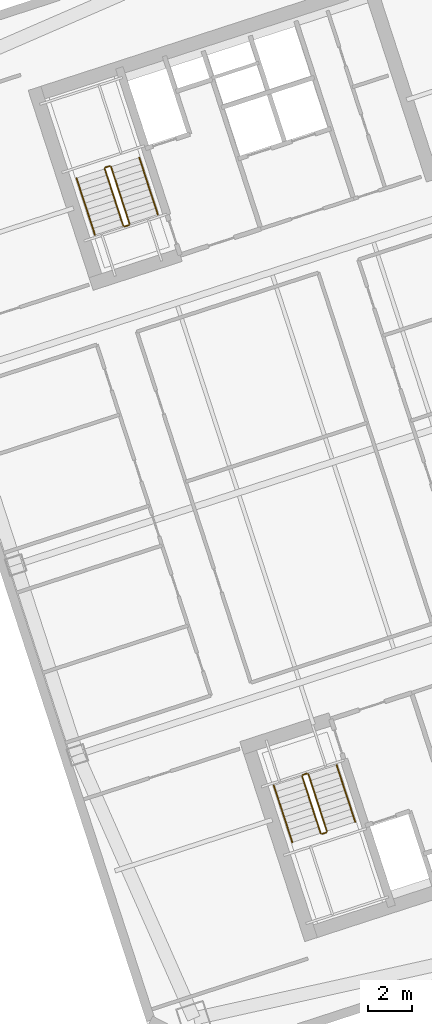
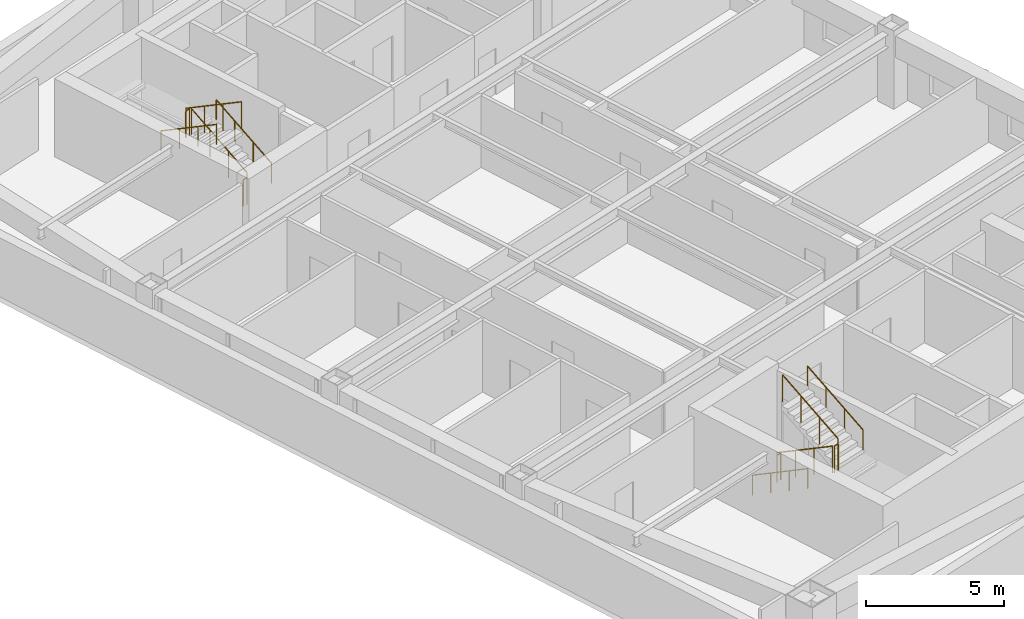
# One storey, part 13 of 13: 12 railings.
"""IFC4 building model written with IfcOpenShell, lengths in metres."""

import ifcopenshell
import ifcopenshell.guid

model = None  # the IFC model being written
_history = None  # IfcOwnerHistory: only IFC2X3 demands one
_inside = {}  # id of a spatial element -> (the spatial element, [elements in it])
_under = {}  # id of a project, library or spatial element -> (it, [spatial elements below it])
_declared = {}  # id of a project -> (the project, [libraries it declares])
_typed = {}  # id of a type object -> (the type object, [elements of that type])
_made_of = {}  # id of a material, layer set ... -> (it, [elements and type objects made of it])


def new_model(schema):
    """Start an empty IFC model of exactly this schema.

    Asked for "IFC4X3", IfcOpenShell would pick the latest addendum, in which some entities
    have other attributes; the version numbers below select the first issue.
    IFC2X3 requires an IfcOwnerHistory on every rooted entity: one is made here for all.
    """
    global model, _history
    if schema == "IFC4X3":
        model = ifcopenshell.file(schema_version=(4, 3, 0, 0))
    else:
        model = ifcopenshell.file(schema=schema)
    _inside.clear()
    _under.clear()
    _declared.clear()
    _typed.clear()
    _made_of.clear()
    _history = None
    if model.schema == "IFC2X3":
        org = make("IfcOrganization", Name="unknown")
        user = make(
            "IfcPersonAndOrganization",
            ThePerson=make("IfcPerson", FamilyName="unknown"),
            TheOrganization=org,
        )
        app = make(
            "IfcApplication",
            ApplicationDeveloper=org,
            Version="unknown",
            ApplicationFullName="unknown",
            ApplicationIdentifier="unknown",
        )
        _history = make(
            "IfcOwnerHistory",
            OwningUser=user,
            OwningApplication=app,
            ChangeAction="ADDED",
            CreationDate=0,
        )
    return model


def make(cls, **values):
    """One entity of the class cls with the attributes given. An attribute that is None is left unset."""
    return model.create_entity(
        cls, **{name: value for name, value in values.items() if value is not None}
    )


def rooted(cls, **values):
    """An entity with a GlobalId (a new one), such as an element, a storey or a relation."""
    return make(cls, GlobalId=ifcopenshell.guid.new(), OwnerHistory=_history, **values)


def si_unit(unit_type, name, prefix=None):
    """IfcSIUnit, for example si_unit("LENGTHUNIT", "METRE", prefix="MILLI")."""
    return make("IfcSIUnit", UnitType=unit_type, Prefix=prefix, Name=name)


def assignment(units):
    """IfcUnitAssignment: the units of a project."""
    return None if units is None else make("IfcUnitAssignment", Units=units)


def point(xyz):
    """IfcCartesianPoint."""
    return None if xyz is None else make("IfcCartesianPoint", Coordinates=xyz)


def direction(xyz):
    """IfcDirection."""
    return None if xyz is None else make("IfcDirection", DirectionRatios=xyz)


def frame(location, z_axis=None, x_axis=None):
    """IfcAxis2Placement3D, a coordinate frame: its origin and axes. An axis left out is left unset."""
    return make(
        "IfcAxis2Placement3D",
        Location=point(location),
        Axis=direction(z_axis),
        RefDirection=direction(x_axis),
    )


def frame_2d(location, x_axis=None):
    """IfcAxis2Placement2D, a coordinate frame in the plane: its origin and x axis."""
    return make(
        "IfcAxis2Placement2D", Location=point(location), RefDirection=direction(x_axis)
    )


def origin():
    """The frame at (0, 0, 0) with its axes left unset."""
    return frame((0.0, 0.0, 0.0))


def origin_2d():
    """The frame at (0, 0) in the plane with its x axis left unset."""
    return frame_2d((0.0, 0.0))


def place(relative_to, where):
    """IfcLocalPlacement: puts the frame where relative to a parent placement (None: the world)."""
    return make(
        "IfcLocalPlacement", PlacementRelTo=relative_to, RelativePlacement=where
    )


def context(
    kind, dimensions, precision=None, world=None, true_north=None, identifier=None
):
    """IfcGeometricRepresentationContext, for example the 3D "Model" context."""
    return make(
        "IfcGeometricRepresentationContext",
        ContextIdentifier=identifier,
        ContextType=kind,
        CoordinateSpaceDimension=dimensions,
        Precision=precision,
        WorldCoordinateSystem=world,
        TrueNorth=true_north,
    )


def subcontext(parent, identifier, kind, view, scale=None):
    """IfcGeometricRepresentationSubContext, for example "Body" below "Model"."""
    return make(
        "IfcGeometricRepresentationSubContext",
        ContextIdentifier=identifier,
        ContextType=kind,
        ParentContext=parent,
        TargetScale=scale,
        TargetView=view,
    )


def project(units=None, contexts=None):
    """IfcProject with its units and contexts."""
    return rooted(
        "IfcProject",
        Name="project",
        RepresentationContexts=contexts,
        UnitsInContext=assignment(units),
    )


def spatial(cls, under=None, at=None, **own):
    """A site, building, storey or space (cls), placed at a placement, below another one or the project."""
    s = rooted(cls, ObjectPlacement=at, **own)
    if under is not None:
        _under.setdefault(under.id(), (under, []))[1].append(s)
    return s


def profile(cls, at=None, kind="AREA", **sizes):
    """A parametric profile (cls). Its sizes go by their IFC names, for example OverallWidth=200.0."""
    return make(cls, ProfileType=kind, Position=at, **sizes)


def circle(**sizes):
    """IfcCircleProfileDef."""
    return profile("IfcCircleProfileDef", **sizes)


def extrude(swept, where, along, depth):
    """IfcExtrudedAreaSolid: the profile swept, set in the frame where, extruded along a direction by depth."""
    return make(
        "IfcExtrudedAreaSolid",
        SweptArea=swept,
        Position=where,
        ExtrudedDirection=direction(along),
        Depth=depth,
    )


def shape(context_of_items, identifier, shape_type, items):
    """IfcShapeRepresentation: the items that make up one representation, for example the "Body"."""
    return make(
        "IfcShapeRepresentation",
        ContextOfItems=context_of_items,
        RepresentationIdentifier=identifier,
        RepresentationType=shape_type,
        Items=items,
    )


def material(Name=None, Category=None):
    """IfcMaterial."""
    return make("IfcMaterial", Name=Name, Category=Category)


def made_of(thing, what):
    """Note that an element or type object is made of a material, layer set ...; save() writes the relation."""
    if what is not None:
        _made_of.setdefault(what.id(), (what, []))[1].append(thing)
    return thing


def type_object(cls, material=None, **own):
    """A type object (cls), such as IfcWallType, which elements share."""
    return made_of(rooted(cls, **own), material)


def element(
    cls,
    number,
    at=None,
    inside=None,
    cuts=None,
    type_object=None,
    material=None,
    context=None,
    identifier="Body",
    shape_type=None,
    held_by="IfcProductDefinitionShape",
    body=None,
    shapes=None,
    **own,
):
    """One element of the class cls, such as IfcWall. Its Tag is "e" and its number.

    at: its placement. inside: the storey or other place that contains it. cuts: it is an
    opening in that element (IfcRelVoidsElement). A single representation is given by context,
    identifier, shape_type and body (its items); several are given by shapes. held_by: the class
    of the entity that holds the representations. save() writes the other relations.
    """
    e = rooted(cls, Tag="e%d" % number, ObjectPlacement=at, **own)
    if body is not None:
        shapes = [shape(context, identifier, shape_type, body)]
    if shapes is not None:
        e.Representation = make(held_by, Representations=shapes)
    if inside is not None:
        _inside.setdefault(inside.id(), (inside, []))[1].append(e)
    if cuts is not None:
        rooted(
            "IfcRelVoidsElement", RelatingBuildingElement=cuts, RelatedOpeningElement=e
        )
    if type_object is not None:
        _typed.setdefault(type_object.id(), (type_object, []))[1].append(e)
    return made_of(e, material)


def aggregate(whole, parts):
    """IfcRelAggregates: a whole, such as a stair, and the parts it consists of."""
    return rooted("IfcRelAggregates", RelatingObject=whole, RelatedObjects=parts)


def save(model, path):
    """Write the relations noted so far, then the file.

    IfcRelAggregates (storeys below a building ...), IfcRelContainedInSpatialStructure (elements
    in a storey), IfcRelDefinesByType, IfcRelAssociatesMaterial and IfcRelDeclares: one each for
    every whole, place, type object, material and project.
    """
    for whole, parts in _under.values():
        aggregate(whole, parts)
    for where, things in _inside.values():
        rooted(
            "IfcRelContainedInSpatialStructure",
            RelatedElements=things,
            RelatingStructure=where,
        )
    for kind, things in _typed.values():
        rooted("IfcRelDefinesByType", RelatedObjects=things, RelatingType=kind)
    for what, things in _made_of.values():
        rooted("IfcRelAssociatesMaterial", RelatedObjects=things, RelatingMaterial=what)
    for by, libraries in _declared.values():
        rooted("IfcRelDeclares", RelatingContext=by, RelatedDefinitions=libraries)
    model.write(path)


model = new_model("IFC4")

# Units and contexts
model_context = context("Model", 3, precision=1e-05, world=origin(), true_north=direction((0.0, 1.0)))
body_context = subcontext(model_context, "Body", "Model", "MODEL_VIEW")
ifc_project = project(units=[si_unit("LENGTHUNIT", "METRE"), si_unit("AREAUNIT", "SQUARE_METRE"), si_unit("VOLUMEUNIT", "CUBIC_METRE"), si_unit("PLANEANGLEUNIT", "RADIAN"), si_unit("MASSUNIT", "GRAM", prefix="KILO")], contexts=[model_context])

# Site, building, storey
site_placement = place(None, origin())
site = spatial("IfcSite", under=ifc_project, at=site_placement, CompositionType="ELEMENT")
building_placement = place(site_placement, origin())
building = spatial("IfcBuilding", under=site, at=building_placement, Name="Qiaolan Cultural Towers", CompositionType="ELEMENT")
storey_placement = place(building_placement, frame((0.0, 0.0, 170.199951171875)))
storey = spatial("IfcBuildingStorey", under=building, at=storey_placement, Name="L45", CompositionType="ELEMENT", Elevation=170.199951171875)

# Railings
ifc_material_1 = material(Name="Galvanized Painted Steel Stair Guardrail", Category="steel")
railing_type_1 = type_object("IfcRailingType", Name="RL-STAIR-GRD", PredefinedType="GUARDRAIL", material=ifc_material_1)
railing_1_placement = place(storey_placement, frame((88.60205078125, 19.82421875, 0.172607421875)))
element("IfcRailing", 1, at=railing_1_placement, inside=storey, type_object=railing_type_1, Name="L45 ST-E1 stair guard 1", PredefinedType="GUARDRAIL", context=body_context, shape_type="SweptSolid", body=[
    extrude(circle(Radius=0.02392578125, at=origin_2d()), frame((0.0, 0.0, 1.17578125), z_axis=(0.267925668498, -0.824471088726, 0.498460891159), x_axis=(0.951043371037, 0.309057448393, 0.0)), (0.0, 0.0, 1.0), 3.114501953125),
    extrude(circle(Radius=0.02099609375, at=origin_2d()), origin(), (0.0, 0.0, 1.0), 1.15185546875),
    extrude(circle(Radius=0.02099609375, at=origin_2d()), frame((0.278076171875, -0.85595703125, 0.517578125)), (0.0, 0.0, 1.0), 1.15185546875),
    extrude(circle(Radius=0.02099609375, at=origin_2d()), frame((0.556396484375, -1.7119140625, 1.034912109375)), (0.0, 0.0, 1.0), 1.15185546875),
    extrude(circle(Radius=0.02099609375, at=origin_2d()), frame((0.83447265625, -2.56787109375, 1.552490234375)), (0.0, 0.0, 1.0), 1.15185546875),
])
railing_2_placement = place(storey_placement, frame((89.49951171875, 17.224365234375, 1.72509765625)))
element("IfcRailing", 2, at=railing_2_placement, inside=storey, type_object=railing_type_1, Name="L45 ST-E1 stair guard 2", PredefinedType="GUARDRAIL", context=body_context, shape_type="SweptSolid", body=[
    extrude(circle(Radius=0.02392578125, at=origin_2d()), frame((0.0, 0.0, 1.17578125), z_axis=(0.951096855055, 0.308892816854, 0.0), x_axis=(-0.308892816854, 0.951096855055, 0.0)), (0.0, 0.0, 1.0), 0.199951171875),
    extrude(circle(Radius=0.02099609375, at=origin_2d()), origin(), (0.0, 0.0, 1.0), 1.15185546875),
    extrude(circle(Radius=0.02099609375, at=origin_2d()), frame((0.190185546875, 0.061767578125, 0.0)), (0.0, 0.0, 1.0), 1.15185546875),
])
railing_3_placement = place(storey_placement, frame((89.721923828125, 17.34912109375, 1.8974609375)))
element("IfcRailing", 3, at=railing_3_placement, inside=storey, type_object=railing_type_1, Name="L45 ST-E1 stair guard 3", PredefinedType="GUARDRAIL", context=body_context, shape_type="SweptSolid", body=[
    extrude(circle(Radius=0.02392578125, at=origin_2d()), frame((0.0, 0.0, 1.17578125), z_axis=(-0.267925668498, 0.824471088726, 0.498460891159), x_axis=(-0.951043371037, -0.309057448393, 0.0)), (0.0, 0.0, 1.0), 3.114501953125),
    extrude(circle(Radius=0.02099609375, at=origin_2d()), origin(), (0.0, 0.0, 1.0), 1.15185546875),
    extrude(circle(Radius=0.02099609375, at=origin_2d()), frame((-0.278076171875, 0.85595703125, 0.517578125)), (0.0, 0.0, 1.0), 1.15185546875),
    extrude(circle(Radius=0.02099609375, at=origin_2d()), frame((-0.556396484375, 1.7119140625, 1.034912109375)), (0.0, 0.0, 1.0), 1.15185546875),
    extrude(circle(Radius=0.02099609375, at=origin_2d()), frame((-0.83447265625, 2.56787109375, 1.552490234375)), (0.0, 0.0, 1.0), 1.15185546875),
])
railing_4_placement = place(storey_placement, frame((88.63427734375, 19.88720703125, 0.0)))
element("IfcRailing", 4, at=railing_4_placement, inside=storey, type_object=railing_type_1, Name="L45 ST-E1 stair guard 4", PredefinedType="GUARDRAIL", context=body_context, shape_type="SweptSolid", body=[
    extrude(circle(Radius=0.02392578125, at=origin_2d()), frame((0.0, 0.0, 1.17578125), z_axis=(0.951096855055, 0.308892816854, 0.0), x_axis=(-0.308892816854, 0.951096855055, 0.0)), (0.0, 0.0, 1.0), 0.199951171875),
    extrude(circle(Radius=0.02099609375, at=origin_2d()), origin(), (0.0, 0.0, 1.0), 1.15185546875),
    extrude(circle(Radius=0.02099609375, at=origin_2d()), frame((0.190185546875, 0.061767578125, 0.0)), (0.0, 0.0, 1.0), 1.15185546875),
])
railing_5_placement = place(storey_placement, frame((80.822021484375, 44.739501953125, 0.172607421875)))
element("IfcRailing", 5, at=railing_5_placement, inside=storey, type_object=railing_type_1, Name="L45 ST-E2 stair guard 1", PredefinedType="GUARDRAIL", context=body_context, shape_type="SweptSolid", body=[
    extrude(circle(Radius=0.02392578125, at=origin_2d()), frame((0.0, 0.0, 1.17578125), z_axis=(-0.26785290645, 0.824488402118, 0.498471358535), x_axis=(-0.951069945308, -0.308975661068, 0.0)), (0.0, 0.0, 1.0), 3.114501953125),
    extrude(circle(Radius=0.02099609375, at=origin_2d()), origin(), (0.0, 0.0, 1.0), 1.15185546875),
    extrude(circle(Radius=0.02099609375, at=origin_2d()), frame((-0.278076171875, 0.85595703125, 0.517578125)), (0.0, 0.0, 1.0), 1.15185546875),
    extrude(circle(Radius=0.02099609375, at=origin_2d()), frame((-0.55615234375, 1.7119140625, 1.034912109375)), (0.0, 0.0, 1.0), 1.15185546875),
    extrude(circle(Radius=0.02099609375, at=origin_2d()), frame((-0.834228515625, 2.56787109375, 1.552490234375)), (0.0, 0.0, 1.0), 1.15185546875),
])
railing_6_placement = place(storey_placement, frame((79.9248046875, 47.33935546875, 1.72509765625)))
element("IfcRailing", 6, at=railing_6_placement, inside=storey, type_object=railing_type_1, Name="L45 ST-E2 stair guard 2", PredefinedType="GUARDRAIL", context=body_context, shape_type="SweptSolid", body=[
    extrude(circle(Radius=0.02392578125, at=origin_2d()), frame((0.0, 0.0, 1.17578125), z_axis=(-0.951096855055, -0.308892816854, 0.0), x_axis=(0.308892816854, -0.951096855055, 0.0)), (0.0, 0.0, 1.0), 0.199951171875),
    extrude(circle(Radius=0.02099609375, at=origin_2d()), origin(), (0.0, 0.0, 1.0), 1.15185546875),
    extrude(circle(Radius=0.02099609375, at=origin_2d()), frame((-0.190185546875, -0.061767578125, 0.0)), (0.0, 0.0, 1.0), 1.15185546875),
])
railing_7_placement = place(storey_placement, frame((79.702392578125, 47.214599609375, 1.8974609375)))
element("IfcRailing", 7, at=railing_7_placement, inside=storey, type_object=railing_type_1, Name="L45 ST-E2 stair guard 3", PredefinedType="GUARDRAIL", context=body_context, shape_type="SweptSolid", body=[
    extrude(circle(Radius=0.02392578125, at=origin_2d()), frame((0.0, 0.0, 1.17578125), z_axis=(0.267925668498, -0.824471088726, 0.498460891159), x_axis=(0.951043371037, 0.309057448393, 0.0)), (0.0, 0.0, 1.0), 3.114501953125),
    extrude(circle(Radius=0.02099609375, at=origin_2d()), origin(), (0.0, 0.0, 1.0), 1.15185546875),
    extrude(circle(Radius=0.02099609375, at=origin_2d()), frame((0.278076171875, -0.85595703125, 0.517578125)), (0.0, 0.0, 1.0), 1.15185546875),
    extrude(circle(Radius=0.02099609375, at=origin_2d()), frame((0.556396484375, -1.7119140625, 1.034912109375)), (0.0, 0.0, 1.0), 1.15185546875),
    extrude(circle(Radius=0.02099609375, at=origin_2d()), frame((0.83447265625, -2.56787109375, 1.552490234375)), (0.0, 0.0, 1.0), 1.15185546875),
])
railing_8_placement = place(storey_placement, frame((80.7900390625, 44.676513671875, 0.0)))
element("IfcRailing", 8, at=railing_8_placement, inside=storey, type_object=railing_type_1, Name="L45 ST-E2 stair guard 4", PredefinedType="GUARDRAIL", context=body_context, shape_type="SweptSolid", body=[
    extrude(circle(Radius=0.02392578125, at=origin_2d()), frame((0.0, 0.0, 1.17578125), z_axis=(-0.951096855055, -0.308892816854, 0.0), x_axis=(0.308892816854, -0.951096855055, 0.0)), (0.0, 0.0, 1.0), 0.199951171875),
    extrude(circle(Radius=0.02099609375, at=origin_2d()), origin(), (0.0, 0.0, 1.0), 1.15185546875),
    extrude(circle(Radius=0.02099609375, at=origin_2d()), frame((-0.190185546875, -0.061767578125, 0.0)), (0.0, 0.0, 1.0), 1.15185546875),
])
ifc_material_2 = material(Name="Stainless Steel S30408 Tubular Handrail", Category="steel")
railing_type_2 = type_object("IfcRailingType", Name="RL-STAIR-HR", PredefinedType="HANDRAIL", material=ifc_material_2)
railing_9_placement = place(storey_placement, frame((87.32763671875, 19.41015625, 0.172607421875)))
element("IfcRailing", 9, at=railing_9_placement, inside=storey, type_object=railing_type_2, Name="L45 ST-E1 stair handrail 1", PredefinedType="HANDRAIL", context=body_context, shape_type="SweptSolid", body=[
    extrude(circle(Radius=0.02392578125, at=origin_2d()), frame((0.0, 0.0, 0.8759765625), z_axis=(0.267925668498, -0.824471088726, 0.498460891159), x_axis=(0.951043371037, 0.309057448393, 0.0)), (0.0, 0.0, 1.0), 3.114501953125),
    extrude(circle(Radius=0.02099609375, at=origin_2d()), origin(), (0.0, 0.0, 1.0), 0.851806640625),
    extrude(circle(Radius=0.02099609375, at=origin_2d()), frame((0.278076171875, -0.85595703125, 0.517578125)), (0.0, 0.0, 1.0), 0.851806640625),
    extrude(circle(Radius=0.02099609375, at=origin_2d()), frame((0.556396484375, -1.7119140625, 1.034912109375)), (0.0, 0.0, 1.0), 0.851806640625),
    extrude(circle(Radius=0.02099609375, at=origin_2d()), frame((0.83447265625, -2.56787109375, 1.552490234375)), (0.0, 0.0, 1.0), 0.851806640625),
])
railing_10_placement = place(storey_placement, frame((90.996337890625, 17.76318359375, 1.8974609375)))
element("IfcRailing", 10, at=railing_10_placement, inside=storey, type_object=railing_type_2, Name="L45 ST-E1 stair handrail 2", PredefinedType="HANDRAIL", context=body_context, shape_type="SweptSolid", body=[
    extrude(circle(Radius=0.02392578125, at=origin_2d()), frame((0.0, 0.0, 0.8759765625), z_axis=(-0.267925668498, 0.824471088726, 0.498460891159), x_axis=(-0.951043371037, -0.309057448393, 0.0)), (0.0, 0.0, 1.0), 3.114501953125),
    extrude(circle(Radius=0.02099609375, at=origin_2d()), origin(), (0.0, 0.0, 1.0), 0.851806640625),
    extrude(circle(Radius=0.02099609375, at=origin_2d()), frame((-0.278076171875, 0.85595703125, 0.517578125)), (0.0, 0.0, 1.0), 0.851806640625),
    extrude(circle(Radius=0.02099609375, at=origin_2d()), frame((-0.556396484375, 1.7119140625, 1.034912109375)), (0.0, 0.0, 1.0), 0.851806640625),
    extrude(circle(Radius=0.02099609375, at=origin_2d()), frame((-0.83447265625, 2.56787109375, 1.552490234375)), (0.0, 0.0, 1.0), 0.851806640625),
])
railing_11_placement = place(storey_placement, frame((82.096435546875, 45.153564453125, 0.172607421875)))
element("IfcRailing", 11, at=railing_11_placement, inside=storey, type_object=railing_type_2, Name="L45 ST-E2 stair handrail 1", PredefinedType="HANDRAIL", context=body_context, shape_type="SweptSolid", body=[
    extrude(circle(Radius=0.02392578125, at=origin_2d()), frame((0.0, 0.0, 0.8759765625), z_axis=(-0.26785290645, 0.824488402118, 0.498471358535), x_axis=(-0.951069945308, -0.308975661068, 0.0)), (0.0, 0.0, 1.0), 3.114501953125),
    extrude(circle(Radius=0.02099609375, at=origin_2d()), origin(), (0.0, 0.0, 1.0), 0.851806640625),
    extrude(circle(Radius=0.02099609375, at=origin_2d()), frame((-0.278076171875, 0.85595703125, 0.517578125)), (0.0, 0.0, 1.0), 0.851806640625),
    extrude(circle(Radius=0.02099609375, at=origin_2d()), frame((-0.55615234375, 1.7119140625, 1.034912109375)), (0.0, 0.0, 1.0), 0.851806640625),
    extrude(circle(Radius=0.02099609375, at=origin_2d()), frame((-0.834228515625, 2.56787109375, 1.552490234375)), (0.0, 0.0, 1.0), 0.851806640625),
])
railing_12_placement = place(storey_placement, frame((78.427978515625, 46.800537109375, 1.8974609375)))
element("IfcRailing", 12, at=railing_12_placement, inside=storey, type_object=railing_type_2, Name="L45 ST-E2 stair handrail 2", PredefinedType="HANDRAIL", context=body_context, shape_type="SweptSolid", body=[
    extrude(circle(Radius=0.02392578125, at=origin_2d()), frame((0.0, 0.0, 0.8759765625), z_axis=(0.267925668498, -0.824471088726, 0.498460891159), x_axis=(0.951043371037, 0.309057448393, 0.0)), (0.0, 0.0, 1.0), 3.114501953125),
    extrude(circle(Radius=0.02099609375, at=origin_2d()), origin(), (0.0, 0.0, 1.0), 0.851806640625),
    extrude(circle(Radius=0.02099609375, at=origin_2d()), frame((0.278076171875, -0.85595703125, 0.517578125)), (0.0, 0.0, 1.0), 0.851806640625),
    extrude(circle(Radius=0.02099609375, at=origin_2d()), frame((0.556396484375, -1.7119140625, 1.034912109375)), (0.0, 0.0, 1.0), 0.851806640625),
    extrude(circle(Radius=0.02099609375, at=origin_2d()), frame((0.83447265625, -2.56787109375, 1.552490234375)), (0.0, 0.0, 1.0), 0.851806640625),
])

save(model, "model.ifc")
